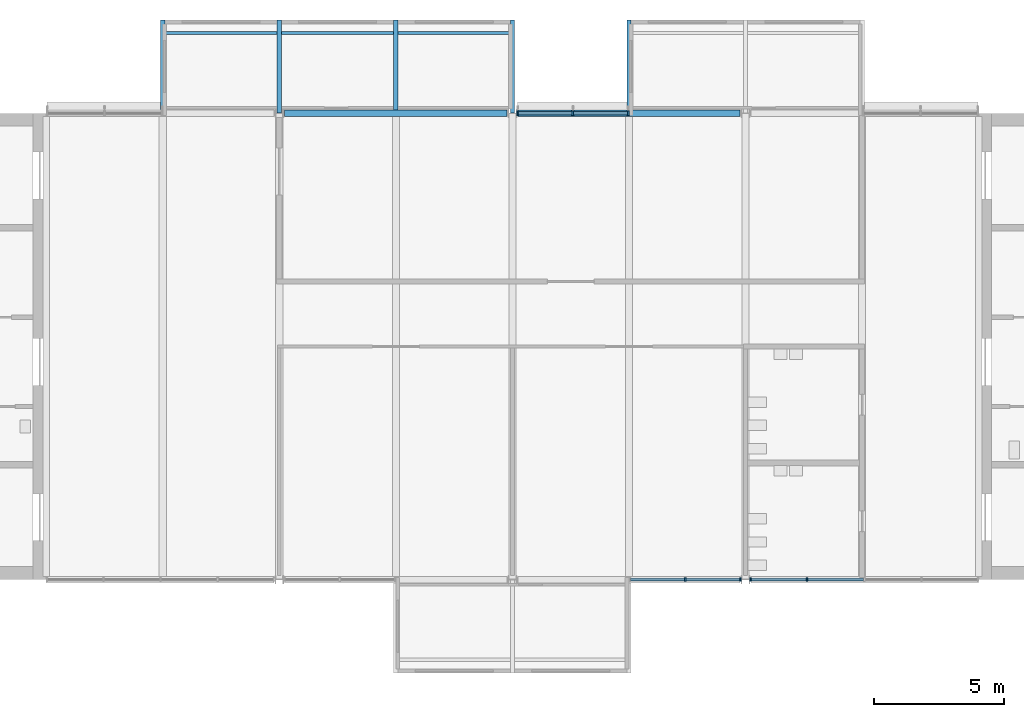
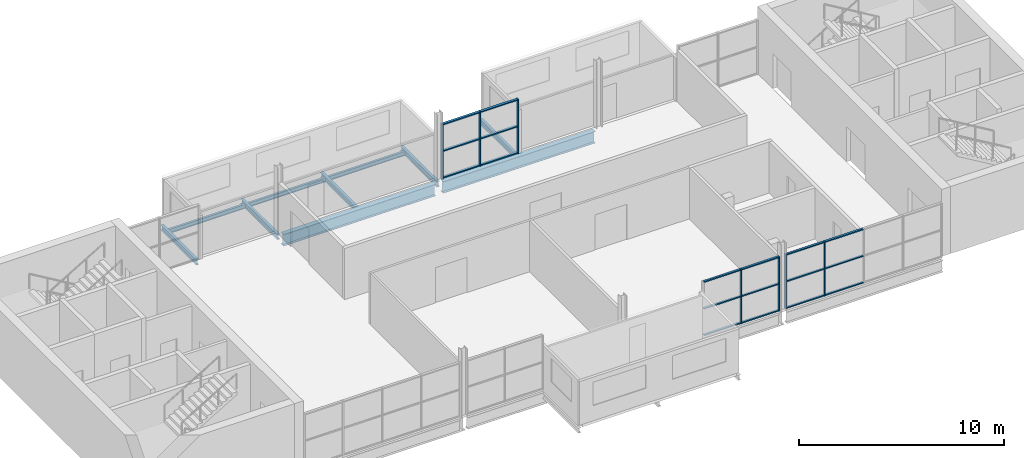
# One storey, part 2 of 10: 25 members, 10 beams, 3 elements without a shape of their own.
"""IFC4 building model written with IfcOpenShell, lengths in metres."""

from ifc_helpers import new_model, si_unit, direction, frame, origin, origin_2d, place, context, subcontext, project, spatial, rectangle, i_section, extrude, material, layer, layer_set, material_profile, profile_set, type_object, element, aggregate, save


model = new_model("IFC4")

# Units and contexts
model_context = context("Model", 3, precision=1e-05, world=origin(), true_north=direction((0.0, 1.0)))
body_context = subcontext(model_context, "Body", "Model", "MODEL_VIEW")
ifc_project = project(units=[si_unit("LENGTHUNIT", "METRE"), si_unit("AREAUNIT", "SQUARE_METRE"), si_unit("VOLUMEUNIT", "CUBIC_METRE"), si_unit("PLANEANGLEUNIT", "RADIAN"), si_unit("MASSUNIT", "GRAM", prefix="KILO")], contexts=[model_context])

# Site, building, storey
site_placement = place(None, origin())
site = spatial("IfcSite", under=ifc_project, at=site_placement, CompositionType="ELEMENT")
building_placement = place(site_placement, origin())
building = spatial("IfcBuilding", under=site, at=building_placement, Name="Corbel Yard City Hall", CompositionType="ELEMENT")
storey_placement = place(building_placement, frame((0.0, 0.0, 51.199951171875)))
storey = spatial("IfcBuildingStorey", under=building, at=storey_placement, Name="L12", CompositionType="ELEMENT", Elevation=51.199951171875)

# Beams
ifc_material_1 = material(Name="Steel Grade 350", Category="steel")
ifc_material_profile_1 = material_profile(ifc_material_1, i_section(OverallWidth=0.25, OverallDepth=0.699951171875, WebThickness=0.010009765625, FlangeThickness=0.02001953125, at=origin_2d()), Name="700WB130")
ifc_profile_set_1 = profile_set([ifc_material_profile_1], Name="Steel Grade 350")
beam_type_1 = type_object("IfcBeamType", Name="Edge beam 700WB130", PredefinedType="BEAM", material=ifc_profile_set_1)
for number, where, z_axis, x_axis, name in (
    (1, (18.20703125, 117.0, -0.5), (1.0, 0.0, 0.0), (0.0, 1.0, 0.0), "Edge beam 700WB130 EB9 L12tower"),
    (2, (27.20703125, 117.0, -0.5), (1.0, 0.0, 0.0), (0.0, 1.0, 0.0), "Edge beam 700WB130 EB9 L12tower"),
):
    element("IfcBeam", number, at=place(storey_placement, frame(where, z_axis=z_axis, x_axis=x_axis)), inside=storey, type_object=beam_type_1, Name=name, PredefinedType="BEAM", context=body_context, shape_type="SweptSolid", body=[
        extrude(i_section(OverallWidth=0.25, OverallDepth=0.699951171875, WebThickness=0.010009765625, FlangeThickness=0.02001953125, at=origin_2d()), origin(), (0.0, 0.0, 1.0), 8.5859375),
    ])

# Curtain wall, members
ifc_material_2 = material(Name="Aluminium extrusion", Category="aluminium")
ifc_layer_1 = layer(ifc_material_2, 0.14990234375)
ifc_layer_set_1 = layer_set([ifc_layer_1], Name="Aluminium extrusion")
curtain_wall_type_1 = type_object("IfcCurtainWallType", Name="CW2", PredefinedType="USERDEFINED", material=ifc_layer_set_1)
curtain_wall_1_placement = place(storey_placement, origin())
curtain_wall_1 = element("IfcCurtainWall", 3, at=curtain_wall_1_placement, inside=storey, type_object=curtain_wall_type_1, Name="Curtain wall CW2 L12", ObjectType="CURTAIN WALL", PredefinedType="USERDEFINED")
ifc_material_profile_2 = material_profile(ifc_material_2, rectangle(XDim=0.14990234375, YDim=0.06494140625, at=origin_2d()), Name="150x65")
ifc_profile_set_2 = profile_set([ifc_material_profile_2], Name="Aluminium extrusion")
member_type_1 = type_object("IfcMemberType", Name="ML2", PredefinedType="MULLION", material=ifc_profile_set_2)
member_1_placement = place(storey_placement, frame((33.668212890625, 99.0, 0.0), z_axis=(0.0, 0.0, 1.0), x_axis=(0.0, 1.0, 0.0)))
member_1 = element("IfcMember", 4, at=member_1_placement, type_object=member_type_1, Name="CW2 mullion 2", PredefinedType="MULLION", context=body_context, shape_type="SweptSolid", body=[
    extrude(rectangle(XDim=0.14990234375, YDim=0.06494140625, at=origin_2d()), origin(), (0.0, 0.0, 1.0), 3.238037109375),
])
member_2_placement = place(storey_placement, frame((35.803955078125, 99.0, 0.0), z_axis=(0.0, 0.0, 1.0), x_axis=(0.0, 1.0, 0.0)))
member_2 = element("IfcMember", 5, at=member_2_placement, type_object=member_type_1, Name="CW2 mullion 3", PredefinedType="MULLION", context=body_context, shape_type="SweptSolid", body=[
    extrude(rectangle(XDim=0.14990234375, YDim=0.06494140625, at=origin_2d()), origin(), (0.0, 0.0, 1.0), 3.238037109375),
])

curtain_wall_2_placement = place(storey_placement, origin())
curtain_wall_2 = element("IfcCurtainWall", 6, at=curtain_wall_2_placement, inside=storey, type_object=curtain_wall_type_1, Name="Curtain wall CW2 L12", ObjectType="CURTAIN WALL", PredefinedType="USERDEFINED")
member_3_placement = place(storey_placement, frame((36.196044921875, 99.0, 0.0), z_axis=(0.0, 0.0, 1.0), x_axis=(0.0, 1.0, 0.0)))
member_3 = element("IfcMember", 7, at=member_3_placement, type_object=member_type_1, Name="CW2 mullion 1", PredefinedType="MULLION", context=body_context, shape_type="SweptSolid", body=[
    extrude(rectangle(XDim=0.14990234375, YDim=0.06494140625, at=origin_2d()), origin(), (0.0, 0.0, 1.0), 3.238037109375),
])
member_4_placement = place(storey_placement, frame((38.37255859375, 99.0, 0.0), z_axis=(0.0, 0.0, 1.0), x_axis=(0.0, 1.0, 0.0)))
member_4 = element("IfcMember", 8, at=member_4_placement, type_object=member_type_1, Name="CW2 mullion 2", PredefinedType="MULLION", context=body_context, shape_type="SweptSolid", body=[
    extrude(rectangle(XDim=0.14990234375, YDim=0.06494140625, at=origin_2d()), origin(), (0.0, 0.0, 1.0), 3.238037109375),
])

ifc_layer_2 = layer(ifc_material_2, 0.179931640625)
ifc_layer_set_2 = layer_set([ifc_layer_2], Name="Aluminium extrusion")
curtain_wall_type_2 = type_object("IfcCurtainWallType", Name="CW6", PredefinedType="USERDEFINED", material=ifc_layer_set_2)
curtain_wall_3_placement = place(storey_placement, origin())
curtain_wall_3 = element("IfcCurtainWall", 9, at=curtain_wall_3_placement, inside=storey, type_object=curtain_wall_type_2, Name="Curtain wall CW6 L12", ObjectType="CURTAIN WALL", PredefinedType="USERDEFINED")
ifc_material_profile_3 = material_profile(ifc_material_2, rectangle(XDim=0.179931640625, YDim=0.06494140625, at=origin_2d()), Name="180x65")
ifc_profile_set_3 = profile_set([ifc_material_profile_3], Name="Aluminium extrusion")
member_type_2 = type_object("IfcMemberType", Name="ML6", PredefinedType="MULLION", material=ifc_profile_set_3)
member_5_placement = place(storey_placement, frame((27.196044921875, 117.0, 0.0), z_axis=(0.0, 0.0, 1.0), x_axis=(0.0, 1.0, 0.0)))
member_5 = element("IfcMember", 10, at=member_5_placement, type_object=member_type_2, Name="CW6 mullion 1", PredefinedType="MULLION", context=body_context, shape_type="SweptSolid", body=[
    extrude(rectangle(XDim=0.179931640625, YDim=0.06494140625, at=origin_2d()), origin(), (0.0, 0.0, 1.0), 3.238037109375),
])
member_6_placement = place(storey_placement, frame((29.331787109375, 117.0, 0.0), z_axis=(0.0, 0.0, 1.0), x_axis=(0.0, 1.0, 0.0)))
member_6 = element("IfcMember", 11, at=member_6_placement, type_object=member_type_2, Name="CW6 mullion 2", PredefinedType="MULLION", context=body_context, shape_type="SweptSolid", body=[
    extrude(rectangle(XDim=0.179931640625, YDim=0.06494140625, at=origin_2d()), origin(), (0.0, 0.0, 1.0), 3.238037109375),
])
member_7_placement = place(storey_placement, frame((31.467529296875, 117.0, 0.0), z_axis=(0.0, 0.0, 1.0), x_axis=(0.0, 1.0, 0.0)))
member_7 = element("IfcMember", 12, at=member_7_placement, type_object=member_type_2, Name="CW6 mullion 3", PredefinedType="MULLION", context=body_context, shape_type="SweptSolid", body=[
    extrude(rectangle(XDim=0.179931640625, YDim=0.06494140625, at=origin_2d()), origin(), (0.0, 0.0, 1.0), 3.238037109375),
])

# Beams
ifc_material_3 = material(Name="Steel Grade 300 (300 MPa yield)", Category="steel")
ifc_material_profile_4 = material_profile(ifc_material_3, i_section(OverallWidth=0.166015625, OverallDepth=0.306884765625, WebThickness=0.006591796875, FlangeThickness=0.01171875, at=origin_2d()), Name="310UB46.2")
ifc_profile_set_4 = profile_set([ifc_material_profile_4], Name="Steel Grade 300 (300 MPa yield)")
beam_type_2 = type_object("IfcBeamType", Name="Pod stub beam 310UB46.2", PredefinedType="BEAM", material=ifc_profile_set_4)
beam_1_placement = place(storey_placement, frame((13.5, 117.125, -0.303466796875), z_axis=(0.0, 1.0, 0.0), x_axis=(-1.0, 0.0, 0.0)))
element("IfcBeam", 13, at=beam_1_placement, inside=storey, type_object=beam_type_2, Name="Pod stub 310UB46.2 CB1 L12", PredefinedType="BEAM", context=body_context, shape_type="SweptSolid", body=[
    extrude(i_section(OverallWidth=0.166015625, OverallDepth=0.306884765625, WebThickness=0.006591796875, FlangeThickness=0.01171875, at=origin_2d()), origin(), (0.0, 0.0, 1.0), 3.47509765625),
])
beam_2_placement = place(storey_placement, frame((18.0, 117.0078125, -0.303466796875), z_axis=(0.0, 1.0, 0.0), x_axis=(-1.0, 0.0, 0.0)))
element("IfcBeam", 14, at=beam_2_placement, inside=storey, type_object=beam_type_2, Name="Pod stub 310UB46.2 CB1 L12", PredefinedType="BEAM", context=body_context, shape_type="SweptSolid", body=[
    extrude(i_section(OverallWidth=0.166015625, OverallDepth=0.306884765625, WebThickness=0.006591796875, FlangeThickness=0.01171875, at=origin_2d()), origin(), (0.0, 0.0, 1.0), 3.59228515625),
])
beam_3_placement = place(storey_placement, frame((22.5, 117.125, -0.303466796875), z_axis=(0.0, 1.0, 0.0), x_axis=(-1.0, 0.0, 0.0)))
element("IfcBeam", 15, at=beam_3_placement, inside=storey, type_object=beam_type_2, Name="Pod stub 310UB46.2 CB1 L12", PredefinedType="BEAM", context=body_context, shape_type="SweptSolid", body=[
    extrude(i_section(OverallWidth=0.166015625, OverallDepth=0.306884765625, WebThickness=0.006591796875, FlangeThickness=0.01171875, at=origin_2d()), origin(), (0.0, 0.0, 1.0), 3.47509765625),
])
beam_4_placement = place(storey_placement, frame((27.0, 117.0078125, -0.303466796875), z_axis=(0.0, 1.0, 0.0), x_axis=(-1.0, 0.0, 0.0)))
element("IfcBeam", 16, at=beam_4_placement, inside=storey, type_object=beam_type_2, Name="Pod stub 310UB46.2 CB1 L12", PredefinedType="BEAM", context=body_context, shape_type="SweptSolid", body=[
    extrude(i_section(OverallWidth=0.166015625, OverallDepth=0.306884765625, WebThickness=0.006591796875, FlangeThickness=0.01171875, at=origin_2d()), origin(), (0.0, 0.0, 1.0), 3.59228515625),
])
beam_5_placement = place(storey_placement, frame((31.5, 117.125, -0.303466796875), z_axis=(0.0, 1.0, 0.0), x_axis=(-1.0, 0.0, 0.0)))
element("IfcBeam", 17, at=beam_5_placement, inside=storey, type_object=beam_type_2, Name="Pod stub 310UB46.2 CB1 L12", PredefinedType="BEAM", context=body_context, shape_type="SweptSolid", body=[
    extrude(i_section(OverallWidth=0.166015625, OverallDepth=0.306884765625, WebThickness=0.006591796875, FlangeThickness=0.01171875, at=origin_2d()), origin(), (0.0, 0.0, 1.0), 3.47509765625),
])
ifc_material_profile_5 = material_profile(ifc_material_3, i_section(OverallWidth=0.1240234375, OverallDepth=0.248046875, WebThickness=0.0048828125, FlangeThickness=0.008056640625, at=origin_2d()), Name="250UB25.7")
ifc_profile_set_5 = profile_set([ifc_material_profile_5], Name="Steel Grade 300 (300 MPa yield)")
beam_type_3 = type_object("IfcBeamType", Name="Pod tip beam", PredefinedType="BEAM", material=ifc_profile_set_5)
for number, where, z_axis, x_axis, name in (
    (18, (13.5830078125, 120.10009765625, -0.27392578125), (1.0, 0.0, 0.0), (0.0, 1.0, 0.0), "Pod tip beam"),
    (19, (18.0830078125, 120.10009765625, -0.27392578125), (1.0, 0.0, 0.0), (0.0, 1.0, 0.0), "Pod tip beam"),
    (20, (22.5830078125, 120.10009765625, -0.27392578125), (1.0, 0.0, 0.0), (0.0, 1.0, 0.0), "Pod tip beam"),
):
    element("IfcBeam", number, at=place(storey_placement, frame(where, z_axis=z_axis, x_axis=x_axis)), inside=storey, type_object=beam_type_3, Name=name, PredefinedType="BEAM", context=body_context, shape_type="SweptSolid", body=[
        extrude(i_section(OverallWidth=0.1240234375, OverallDepth=0.248046875, WebThickness=0.0048828125, FlangeThickness=0.008056640625, at=origin_2d()), origin(), (0.0, 0.0, 1.0), 4.333984375),
    ])

# Member
ifc_material_profile_6 = material_profile(ifc_material_2, rectangle(XDim=0.1201171875, YDim=0.06494140625, at=origin_2d()), Name="120x65")
ifc_profile_set_6 = profile_set([ifc_material_profile_6], Name="Aluminium extrusion")
member_type_3 = type_object("IfcMemberType", Name="TR2", PredefinedType="USERDEFINED", material=ifc_profile_set_6)
member_8_placement = place(storey_placement, frame((31.56494140625, 99.0, 0.032470703125), z_axis=(1.0, 0.0, 0.0), x_axis=(0.0, 1.0, 0.0)))
member_8 = element("IfcMember", 21, at=member_8_placement, type_object=member_type_3, Name="CW2 transom 1.1", ObjectType="TRANSOM", PredefinedType="USERDEFINED", context=body_context, shape_type="SweptSolid", body=[
    extrude(rectangle(XDim=0.1201171875, YDim=0.06494140625, at=origin_2d()), origin(), (0.0, 0.0, 1.0), 2.07080078125),
])

member_9_placement = place(storey_placement, frame((31.56494140625, 99.0, 1.619140625), z_axis=(1.0, 0.0, 0.0), x_axis=(0.0, 1.0, 0.0)))
member_9 = element("IfcMember", 22, at=member_9_placement, type_object=member_type_3, Name="CW2 transom 1.2", ObjectType="TRANSOM", PredefinedType="USERDEFINED", context=body_context, shape_type="SweptSolid", body=[
    extrude(rectangle(XDim=0.1201171875, YDim=0.06494140625, at=origin_2d()), origin(), (0.0, 0.0, 1.0), 2.07080078125),
])

member_10_placement = place(storey_placement, frame((31.56494140625, 99.0, 3.20556640625), z_axis=(1.0, 0.0, 0.0), x_axis=(0.0, 1.0, 0.0)))
member_10 = element("IfcMember", 23, at=member_10_placement, type_object=member_type_3, Name="CW2 transom 1.3", ObjectType="TRANSOM", PredefinedType="USERDEFINED", context=body_context, shape_type="SweptSolid", body=[
    extrude(rectangle(XDim=0.1201171875, YDim=0.06494140625, at=origin_2d()), origin(), (0.0, 0.0, 1.0), 2.07080078125),
])

member_11_placement = place(storey_placement, frame((33.70068359375, 99.0, 0.032470703125), z_axis=(1.0, 0.0, 0.0), x_axis=(0.0, 1.0, 0.0)))
member_11 = element("IfcMember", 24, at=member_11_placement, type_object=member_type_3, Name="CW2 transom 2.1", ObjectType="TRANSOM", PredefinedType="USERDEFINED", context=body_context, shape_type="SweptSolid", body=[
    extrude(rectangle(XDim=0.1201171875, YDim=0.06494140625, at=origin_2d()), origin(), (0.0, 0.0, 1.0), 2.07080078125),
])

member_12_placement = place(storey_placement, frame((33.70068359375, 99.0, 1.619140625), z_axis=(1.0, 0.0, 0.0), x_axis=(0.0, 1.0, 0.0)))
member_12 = element("IfcMember", 25, at=member_12_placement, type_object=member_type_3, Name="CW2 transom 2.2", ObjectType="TRANSOM", PredefinedType="USERDEFINED", context=body_context, shape_type="SweptSolid", body=[
    extrude(rectangle(XDim=0.1201171875, YDim=0.06494140625, at=origin_2d()), origin(), (0.0, 0.0, 1.0), 2.07080078125),
])

member_13_placement = place(storey_placement, frame((33.70068359375, 99.0, 3.20556640625), z_axis=(1.0, 0.0, 0.0), x_axis=(0.0, 1.0, 0.0)))
member_13 = element("IfcMember", 26, at=member_13_placement, type_object=member_type_3, Name="CW2 transom 2.3", ObjectType="TRANSOM", PredefinedType="USERDEFINED", context=body_context, shape_type="SweptSolid", body=[
    extrude(rectangle(XDim=0.1201171875, YDim=0.06494140625, at=origin_2d()), origin(), (0.0, 0.0, 1.0), 2.07080078125),
])

aggregate(curtain_wall_1, [member_1, member_2, member_8, member_9, member_10, member_11, member_12, member_13])

member_14_placement = place(storey_placement, frame((36.228515625, 99.0, 0.032470703125), z_axis=(1.0, 0.0, 0.0), x_axis=(0.0, 1.0, 0.0)))
member_14 = element("IfcMember", 27, at=member_14_placement, type_object=member_type_3, Name="CW2 transom 1.1", ObjectType="TRANSOM", PredefinedType="USERDEFINED", context=body_context, shape_type="SweptSolid", body=[
    extrude(rectangle(XDim=0.1201171875, YDim=0.06494140625, at=origin_2d()), origin(), (0.0, 0.0, 1.0), 2.111572265625),
])

member_15_placement = place(storey_placement, frame((36.228515625, 99.0, 1.619140625), z_axis=(1.0, 0.0, 0.0), x_axis=(0.0, 1.0, 0.0)))
member_15 = element("IfcMember", 28, at=member_15_placement, type_object=member_type_3, Name="CW2 transom 1.2", ObjectType="TRANSOM", PredefinedType="USERDEFINED", context=body_context, shape_type="SweptSolid", body=[
    extrude(rectangle(XDim=0.1201171875, YDim=0.06494140625, at=origin_2d()), origin(), (0.0, 0.0, 1.0), 2.111572265625),
])

member_16_placement = place(storey_placement, frame((36.228515625, 99.0, 3.20556640625), z_axis=(1.0, 0.0, 0.0), x_axis=(0.0, 1.0, 0.0)))
member_16 = element("IfcMember", 29, at=member_16_placement, type_object=member_type_3, Name="CW2 transom 1.3", ObjectType="TRANSOM", PredefinedType="USERDEFINED", context=body_context, shape_type="SweptSolid", body=[
    extrude(rectangle(XDim=0.1201171875, YDim=0.06494140625, at=origin_2d()), origin(), (0.0, 0.0, 1.0), 2.111572265625),
])

member_17_placement = place(storey_placement, frame((38.405029296875, 99.0, 0.032470703125), z_axis=(1.0, 0.0, 0.0), x_axis=(0.0, 1.0, 0.0)))
member_17 = element("IfcMember", 30, at=member_17_placement, type_object=member_type_3, Name="CW2 transom 2.1", ObjectType="TRANSOM", PredefinedType="USERDEFINED", context=body_context, shape_type="SweptSolid", body=[
    extrude(rectangle(XDim=0.1201171875, YDim=0.06494140625, at=origin_2d()), origin(), (0.0, 0.0, 1.0), 2.144287109375),
])

member_18_placement = place(storey_placement, frame((38.405029296875, 99.0, 1.619140625), z_axis=(1.0, 0.0, 0.0), x_axis=(0.0, 1.0, 0.0)))
member_18 = element("IfcMember", 31, at=member_18_placement, type_object=member_type_3, Name="CW2 transom 2.2", ObjectType="TRANSOM", PredefinedType="USERDEFINED", context=body_context, shape_type="SweptSolid", body=[
    extrude(rectangle(XDim=0.1201171875, YDim=0.06494140625, at=origin_2d()), origin(), (0.0, 0.0, 1.0), 2.144287109375),
])

member_19_placement = place(storey_placement, frame((38.405029296875, 99.0, 3.20556640625), z_axis=(1.0, 0.0, 0.0), x_axis=(0.0, 1.0, 0.0)))
member_19 = element("IfcMember", 32, at=member_19_placement, type_object=member_type_3, Name="CW2 transom 2.3", ObjectType="TRANSOM", PredefinedType="USERDEFINED", context=body_context, shape_type="SweptSolid", body=[
    extrude(rectangle(XDim=0.1201171875, YDim=0.06494140625, at=origin_2d()), origin(), (0.0, 0.0, 1.0), 2.144287109375),
])

aggregate(curtain_wall_2, [member_3, member_4, member_14, member_15, member_16, member_17, member_18, member_19])

ifc_material_profile_7 = material_profile(ifc_material_2, rectangle(XDim=0.139892578125, YDim=0.06494140625, at=origin_2d()), Name="140x65")
ifc_profile_set_7 = profile_set([ifc_material_profile_7], Name="Aluminium extrusion")
member_type_4 = type_object("IfcMemberType", Name="TR6", PredefinedType="USERDEFINED", material=ifc_profile_set_7)
member_20_placement = place(storey_placement, frame((27.228515625, 117.0, 0.032470703125), z_axis=(1.0, 0.0, 0.0), x_axis=(0.0, 1.0, 0.0)))
member_20 = element("IfcMember", 33, at=member_20_placement, type_object=member_type_4, Name="CW6 transom 1.1", ObjectType="TRANSOM", PredefinedType="USERDEFINED", context=body_context, shape_type="SweptSolid", body=[
    extrude(rectangle(XDim=0.139892578125, YDim=0.06494140625, at=origin_2d()), origin(), (0.0, 0.0, 1.0), 2.07080078125),
])

member_21_placement = place(storey_placement, frame((27.228515625, 117.0, 1.619140625), z_axis=(1.0, 0.0, 0.0), x_axis=(0.0, 1.0, 0.0)))
member_21 = element("IfcMember", 34, at=member_21_placement, type_object=member_type_4, Name="CW6 transom 1.2", ObjectType="TRANSOM", PredefinedType="USERDEFINED", context=body_context, shape_type="SweptSolid", body=[
    extrude(rectangle(XDim=0.139892578125, YDim=0.06494140625, at=origin_2d()), origin(), (0.0, 0.0, 1.0), 2.07080078125),
])

member_22_placement = place(storey_placement, frame((27.228515625, 117.0, 3.20556640625), z_axis=(1.0, 0.0, 0.0), x_axis=(0.0, 1.0, 0.0)))
member_22 = element("IfcMember", 35, at=member_22_placement, type_object=member_type_4, Name="CW6 transom 1.3", ObjectType="TRANSOM", PredefinedType="USERDEFINED", context=body_context, shape_type="SweptSolid", body=[
    extrude(rectangle(XDim=0.139892578125, YDim=0.06494140625, at=origin_2d()), origin(), (0.0, 0.0, 1.0), 2.07080078125),
])

member_23_placement = place(storey_placement, frame((29.3642578125, 117.0, 0.032470703125), z_axis=(1.0, 0.0, 0.0), x_axis=(0.0, 1.0, 0.0)))
member_23 = element("IfcMember", 36, at=member_23_placement, type_object=member_type_4, Name="CW6 transom 2.1", ObjectType="TRANSOM", PredefinedType="USERDEFINED", context=body_context, shape_type="SweptSolid", body=[
    extrude(rectangle(XDim=0.139892578125, YDim=0.06494140625, at=origin_2d()), origin(), (0.0, 0.0, 1.0), 2.07080078125),
])

member_24_placement = place(storey_placement, frame((29.3642578125, 117.0, 1.619140625), z_axis=(1.0, 0.0, 0.0), x_axis=(0.0, 1.0, 0.0)))
member_24 = element("IfcMember", 37, at=member_24_placement, type_object=member_type_4, Name="CW6 transom 2.2", ObjectType="TRANSOM", PredefinedType="USERDEFINED", context=body_context, shape_type="SweptSolid", body=[
    extrude(rectangle(XDim=0.139892578125, YDim=0.06494140625, at=origin_2d()), origin(), (0.0, 0.0, 1.0), 2.07080078125),
])

member_25_placement = place(storey_placement, frame((29.3642578125, 117.0, 3.20556640625), z_axis=(1.0, 0.0, 0.0), x_axis=(0.0, 1.0, 0.0)))
member_25 = element("IfcMember", 38, at=member_25_placement, type_object=member_type_4, Name="CW6 transom 2.3", ObjectType="TRANSOM", PredefinedType="USERDEFINED", context=body_context, shape_type="SweptSolid", body=[
    extrude(rectangle(XDim=0.139892578125, YDim=0.06494140625, at=origin_2d()), origin(), (0.0, 0.0, 1.0), 2.07080078125),
])

aggregate(curtain_wall_3, [member_5, member_6, member_7, member_20, member_21, member_22, member_23, member_24, member_25])

save(model, "model.ifc")
